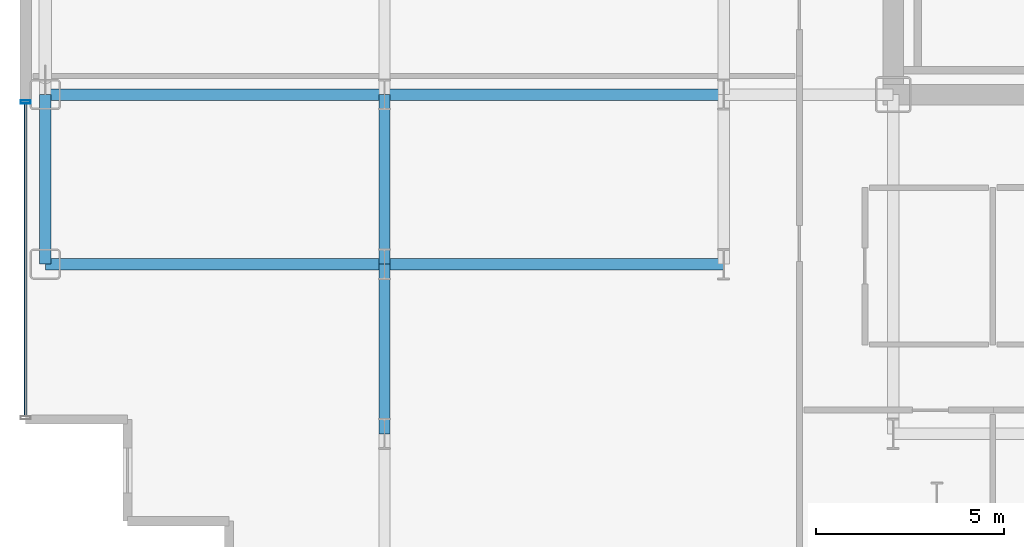
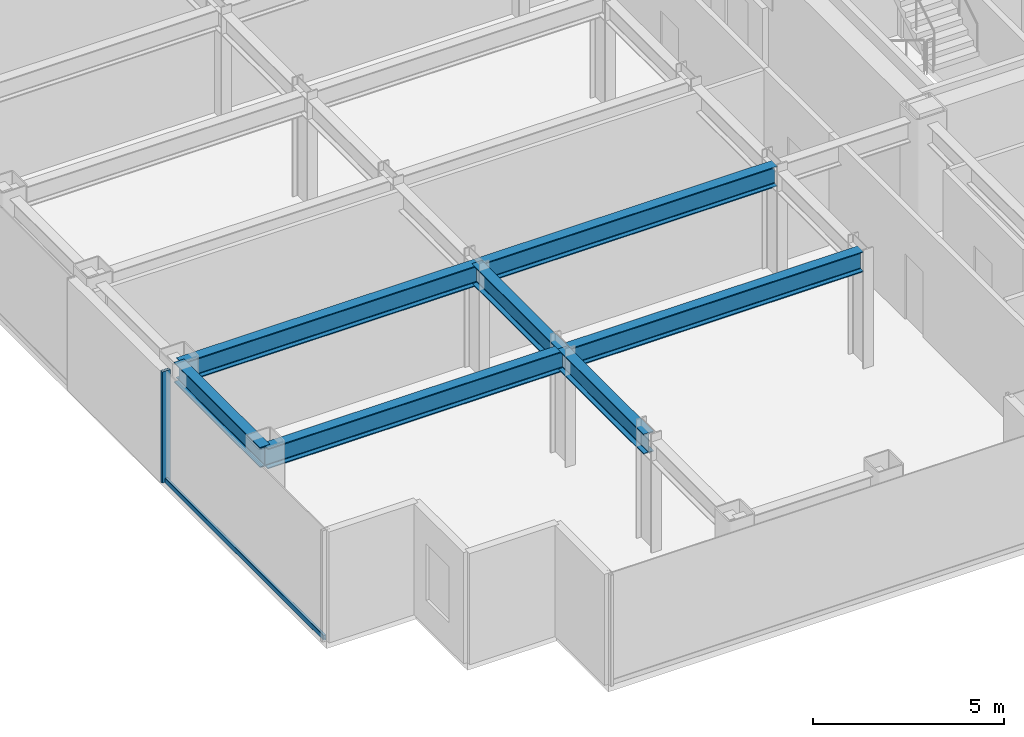
# One storey, part 4 of 26: 7 beams, 2 members, 1 element without a shape of its own.
"""IFC4 building model written with IfcOpenShell, lengths in metres."""

from ifc_helpers import new_model, si_unit, direction, frame, origin, origin_2d, place, context, subcontext, project, spatial, hollow_rectangle, i_section, extrude, source, transform, mapped, material, layer, layer_set, material_profile, profile_set, type_object, element, aggregate, save


model = new_model("IFC4")

# Units and contexts
model_context = context("Model", 3, precision=1e-05, world=origin(), true_north=direction((0.0, 1.0)))
body_context = subcontext(model_context, "Body", "Model", "MODEL_VIEW")
ifc_project = project(units=[si_unit("LENGTHUNIT", "METRE"), si_unit("AREAUNIT", "SQUARE_METRE"), si_unit("VOLUMEUNIT", "CUBIC_METRE"), si_unit("PLANEANGLEUNIT", "RADIAN"), si_unit("MASSUNIT", "GRAM", prefix="KILO")], contexts=[model_context])

# Site, building, storey
site_placement = place(None, origin())
site = spatial("IfcSite", under=ifc_project, at=site_placement, CompositionType="ELEMENT")
building_placement = place(site_placement, origin())
building = spatial("IfcBuilding", under=site, at=building_placement, Name="Nefas-Gora Pilgrimage Tower", CompositionType="ELEMENT")
storey_placement = place(building_placement, frame((0.0, 0.0, 160.199951171875)))
storey = spatial("IfcBuildingStorey", under=building, at=storey_placement, Name="L39", CompositionType="ELEMENT", Elevation=160.199951171875)

# Beams
ifc_material_1 = material(Name="Steel S355", Category="steel")
ifc_material_profile_1 = material_profile(ifc_material_1, i_section(OverallWidth=0.300048828125, OverallDepth=0.64990234375, WebThickness=0.01611328125, FlangeThickness=0.031005859375, FilletRadius=0.027099609375, at=origin_2d()), Name="HEB 650")
ifc_profile_set_1 = profile_set([ifc_material_profile_1], Name="Steel S355")
beam_type_1 = type_object("IfcBeamType", Name="BM-SPN-HEB500", PredefinedType="SPANDREL", material=ifc_profile_set_1)
shared_shape_1 = source(origin(), body_context, "Body", "SweptSolid", [
    extrude(i_section(OverallWidth=0.300048828125, OverallDepth=0.64990234375, WebThickness=0.01611328125, FlangeThickness=0.031005859375, FilletRadius=0.027099609375, at=origin_2d()), origin(), (0.0, 0.0, 1.0), 4.5),
])
beam_placement = place(storey_placement, frame((-33.75, -13.5, 3.22509765625), z_axis=(0.0, 1.0, 0.0), x_axis=(-1.0, 0.0, 0.0)))
element("IfcBeam", 1, at=beam_placement, inside=storey, type_object=beam_type_1, Name="L39 SP-02 beam", PredefinedType="SPANDREL", context=body_context, shape_type="MappedRepresentation", body=[
    mapped(shared_shape_1, transform((0.0, 0.0, 0.0), x_axis=(1.0, 0.0, 0.0), y_axis=(0.0, 1.0, 0.0), z_axis=(0.0, 0.0, 1.0), scale=1.0)),
])
ifc_material_profile_2 = material_profile(ifc_material_1, i_section(OverallWidth=0.300048828125, OverallDepth=0.64990234375, WebThickness=0.01611328125, FlangeThickness=0.031005859375, FilletRadius=0.027099609375, at=origin_2d()), Name="HEB 650")
ifc_profile_set_2 = profile_set([ifc_material_profile_2], Name="Steel S355")
beam_type_2 = type_object("IfcBeamType", Name="BM-GIR-HEB650", PredefinedType="BEAM", material=ifc_profile_set_2)
shared_shape_2 = source(origin(), body_context, "Body", "SweptSolid", [
    extrude(i_section(OverallWidth=0.300048828125, OverallDepth=0.64990234375, WebThickness=0.01611328125, FlangeThickness=0.031005859375, FilletRadius=0.027099609375, at=origin_2d()), origin(), (0.0, 0.0, 1.0), 9.0),
])
for number, where, z_axis, x_axis, name in (
    (2, (-33.75, -13.5, 3.22509765625), (1.0, 0.0, 0.0), (0.0, 1.0, 0.0), "L39 G-03 beam"),
    (3, (-33.75, -9.0, 3.22509765625), (1.0, 0.0, 0.0), (0.0, 1.0, 0.0), "L39 G-03 beam"),
    (4, (-24.75, -13.5, 3.22509765625), (1.0, 0.0, 0.0), (0.0, 1.0, 0.0), "L39 G-03 beam"),
    (5, (-24.75, -9.0, 3.22509765625), (1.0, 0.0, 0.0), (0.0, 1.0, 0.0), "L39 G-03 beam"),
):
    element("IfcBeam", number, at=place(storey_placement, frame(where, z_axis=z_axis, x_axis=x_axis)), inside=storey, type_object=beam_type_2, Name=name, PredefinedType="BEAM", context=body_context, shape_type="MappedRepresentation", body=[
        mapped(shared_shape_2, transform((0.0, 0.0, 0.0), x_axis=(1.0, 0.0, 0.0), y_axis=(0.0, 1.0, 0.0), z_axis=(0.0, 0.0, 1.0), scale=1.0)),
    ])
shared_shape_3 = source(origin(), body_context, "Body", "SweptSolid", [
    extrude(i_section(OverallWidth=0.300048828125, OverallDepth=0.64990234375, WebThickness=0.01611328125, FlangeThickness=0.031005859375, FilletRadius=0.027099609375, at=origin_2d()), origin(), (0.0, 0.0, 1.0), 4.5),
])
for number, where, z_axis, x_axis, name in (
    (6, (-24.75, -18.0, 3.22509765625), (0.0, 1.0, 0.0), (-1.0, 0.0, 0.0), "L39 G-03 beam"),
    (7, (-24.75, -13.5, 3.22509765625), (0.0, 1.0, 0.0), (-1.0, 0.0, 0.0), "L39 G-03 beam"),
):
    element("IfcBeam", number, at=place(storey_placement, frame(where, z_axis=z_axis, x_axis=x_axis)), inside=storey, type_object=beam_type_2, Name=name, PredefinedType="BEAM", context=body_context, shape_type="MappedRepresentation", body=[
        mapped(shared_shape_3, transform((0.0, 0.0, 0.0), x_axis=(1.0, 0.0, 0.0), y_axis=(0.0, 1.0, 0.0), z_axis=(0.0, 0.0, 1.0), scale=1.0)),
    ])

# Curtain wall, members
ifc_material_2 = material(Name="Dark ceramic-fritted solar-control aluminium-glass curtain wall", Category="aluminium")
ifc_layer = layer(ifc_material_2, 0.219970703125)
ifc_layer_set = layer_set([ifc_layer], Name="Dark ceramic-fritted solar-control aluminium-glass curtain wall")
curtain_wall_type = type_object("IfcCurtainWallType", Name="CW-SYS-3", PredefinedType="NOTDEFINED", material=ifc_layer_set)
curtain_wall_placement = place(storey_placement, origin())
curtain_wall = element("IfcCurtainWall", 8, at=curtain_wall_placement, inside=storey, type_object=curtain_wall_type, Name="L39 Unitised Curtain Wall CW3", PredefinedType="NOTDEFINED")
ifc_material_3 = material(Name="Anodised architectural aluminium", Category="aluminium")
ifc_material_profile_3 = material_profile(ifc_material_3, hollow_rectangle(XDim=0.090087890625, YDim=0.260009765625, WallThickness=0.006103515625, InnerFilletRadius=0.006103515625, OuterFilletRadius=0.011962890625, at=origin_2d()), Name="ALU MULLION 90x260")
ifc_profile_set_3 = profile_set([ifc_material_profile_3], Name="Anodised architectural aluminium")
member_type_1 = type_object("IfcMemberType", Name="CWM-MUL-3", PredefinedType="MULLION", material=ifc_profile_set_3)
shared_shape_4 = source(origin(), body_context, "Body", "SweptSolid", [
    extrude(hollow_rectangle(XDim=0.090087890625, YDim=0.260009765625, WallThickness=0.006103515625, InnerFilletRadius=0.006103515625, OuterFilletRadius=0.011962890625, at=origin_2d()), origin(), (0.0, 0.0, 1.0), 3.550048828125),
])
member_1_placement = place(storey_placement, frame((-34.27001953125, -9.195068359375, 0.0), z_axis=(0.0, 0.0, 1.0), x_axis=(0.0, -1.0, 0.0)))
member_1 = element("IfcMember", 9, at=member_1_placement, type_object=member_type_1, Name="CW3 Mullion 1", PredefinedType="MULLION", context=body_context, shape_type="MappedRepresentation", body=[
    mapped(shared_shape_4, transform((0.0, 0.0, 0.0), x_axis=(1.0, 0.0, 0.0), y_axis=(0.0, 1.0, 0.0), z_axis=(0.0, 0.0, 1.0), scale=1.0)),
])
ifc_material_profile_4 = material_profile(ifc_material_3, hollow_rectangle(XDim=0.080078125, YDim=0.159912109375, WallThickness=0.00439453125, InnerFilletRadius=0.00439453125, OuterFilletRadius=0.009033203125, at=origin_2d()), Name="ALU TRANSOM 80x160")
ifc_profile_set_4 = profile_set([ifc_material_profile_4], Name="Anodised architectural aluminium")
member_type_2 = type_object("IfcMemberType", Name="CWM-TRN-3", PredefinedType="USERDEFINED", material=ifc_profile_set_4)
shared_shape_5 = source(origin(), body_context, "Body", "SweptSolid", [
    extrude(hollow_rectangle(XDim=0.080078125, YDim=0.159912109375, WallThickness=0.00439453125, InnerFilletRadius=0.00439453125, OuterFilletRadius=0.009033203125, at=origin_2d()), origin(), (0.0, 0.0, 1.0), 8.2900390625),
])
member_2_placement = place(storey_placement, frame((-34.27001953125, -9.239990234375, 0.050048828125), z_axis=(0.0, -1.0, 0.0), x_axis=(1.0, 0.0, 0.0)))
member_2 = element("IfcMember", 10, at=member_2_placement, type_object=member_type_2, Name="CW3 Spandrel Transom", ObjectType="TRANSOM", PredefinedType="USERDEFINED", context=body_context, shape_type="MappedRepresentation", body=[
    mapped(shared_shape_5, transform((0.0, 0.0, 0.0), x_axis=(1.0, 0.0, 0.0), y_axis=(0.0, 1.0, 0.0), z_axis=(0.0, 0.0, 1.0), scale=1.0)),
])
aggregate(curtain_wall, [member_1, member_2])

save(model, "model.ifc")
